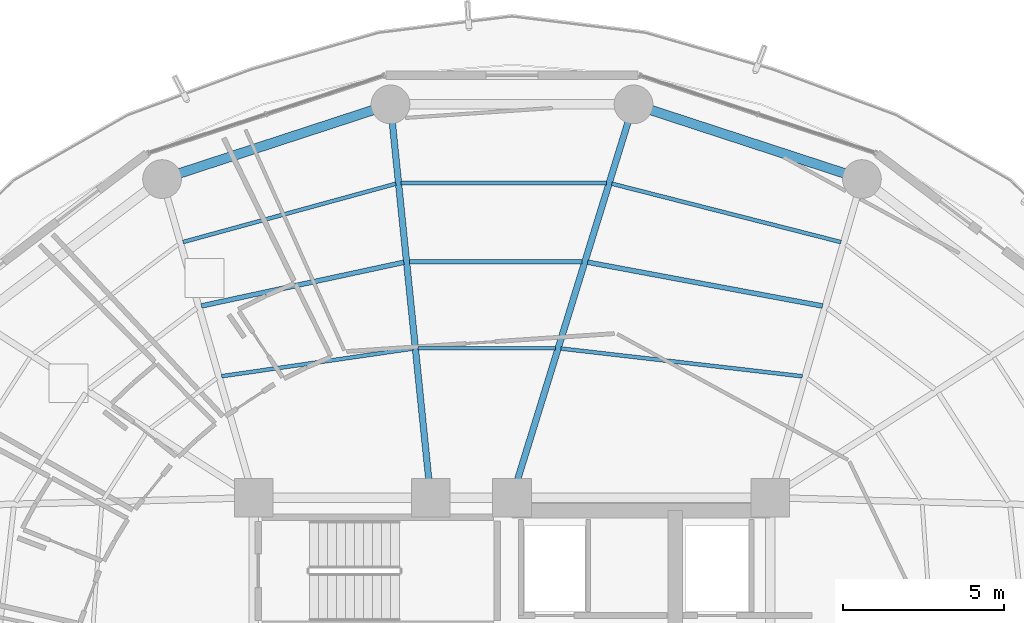
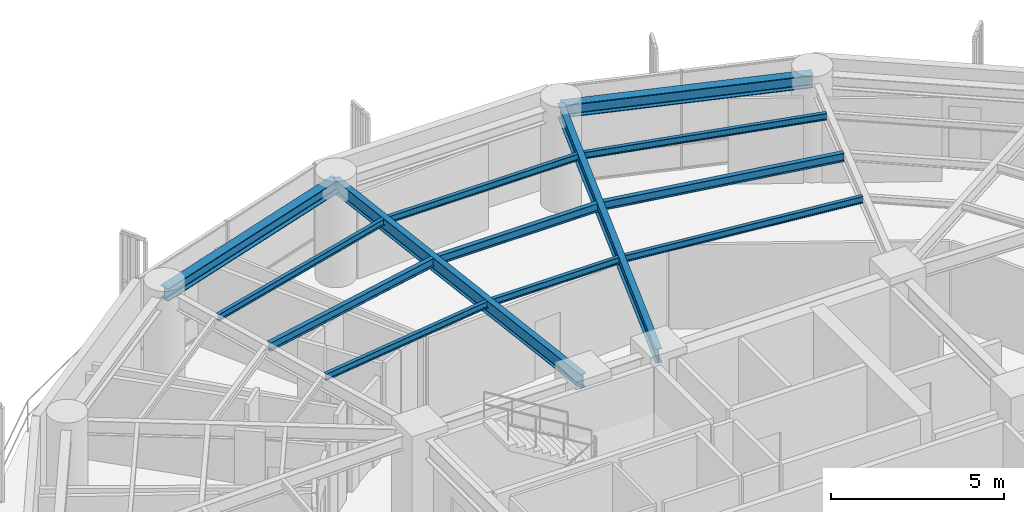
# One storey, part 17 of 29: 13 beams.
"""IFC4 building model written with IfcOpenShell, lengths in metres."""

from ifc_helpers import new_model, si_unit, direction, frame, origin, origin_2d, place, context, subcontext, project, spatial, i_section, extrude, material, material_profile, profile_set, type_object, element, save


model = new_model("IFC4")

# Units and contexts
model_context = context("Model", 3, precision=1e-05, world=origin(), true_north=direction((0.0, 1.0)))
body_context = subcontext(model_context, "Body", "Model", "MODEL_VIEW")
ifc_project = project(units=[si_unit("LENGTHUNIT", "METRE"), si_unit("AREAUNIT", "SQUARE_METRE"), si_unit("VOLUMEUNIT", "CUBIC_METRE"), si_unit("PLANEANGLEUNIT", "RADIAN"), si_unit("MASSUNIT", "GRAM", prefix="KILO")], contexts=[model_context])

# Site, building, storey
site_placement = place(None, origin())
site = spatial("IfcSite", under=ifc_project, at=site_placement, CompositionType="ELEMENT")
building_placement = place(site_placement, origin())
building = spatial("IfcBuilding", under=site, at=building_placement, Name="Kelanora Arch Commons", CompositionType="ELEMENT")
storey_placement = place(building_placement, frame((0.0, 0.0, 135.60009765625)))
storey = spatial("IfcBuildingStorey", under=building, at=storey_placement, Name="L34", CompositionType="ELEMENT", Elevation=135.60009765625)

# Beams
ifc_material = material(Name="Steel S355", Category="steel")
ifc_material_profile_1 = material_profile(ifc_material, i_section(OverallWidth=0.14990234375, OverallDepth=0.300048828125, WebThickness=0.007080078125, FlangeThickness=0.0107421875, FilletRadius=0.014892578125, at=origin_2d()), Name="IPE300")
ifc_profile_set_1 = profile_set([ifc_material_profile_1], Name="Steel S355")
beam_type_1 = type_object("IfcBeamType", Name="BM-JST-01", PredefinedType="JOIST", material=ifc_profile_set_1)
beam_1_placement = place(storey_placement, frame((83.620361328125, 70.937744140625, 3.33984375), z_axis=(-0.983054256126, 0.183314837134, 0.0), x_axis=(-0.183314837134, -0.983054256126, 0.0)))
element("IfcBeam", 1, at=beam_1_placement, inside=storey, type_object=beam_type_1, Name="Secondary Chord Joist BJB-06 L34", PredefinedType="JOIST", context=body_context, shape_type="SweptSolid", body=[
    extrude(i_section(OverallWidth=0.14990234375, OverallDepth=0.300048828125, WebThickness=0.007080078125, FlangeThickness=0.0107421875, FilletRadius=0.014892578125, at=origin_2d()), origin(), (0.0, 0.0, 1.0), 7.403564453125),
])
beam_2_placement = place(storey_placement, frame((76.173828125, 72.310546875, 3.33984375), z_axis=(-1.0, 0.0, 0.0), x_axis=(0.0, -1.0, 0.0)))
element("IfcBeam", 2, at=beam_2_placement, inside=storey, type_object=beam_type_1, Name="Secondary Chord Joist BJB-08 L34", PredefinedType="JOIST", context=body_context, shape_type="SweptSolid", body=[
    extrude(i_section(OverallWidth=0.14990234375, OverallDepth=0.300048828125, WebThickness=0.007080078125, FlangeThickness=0.0107421875, FilletRadius=0.014892578125, at=origin_2d()), origin(), (0.0, 0.0, 1.0), 5.355712890625),
])
beam_3_placement = place(storey_placement, frame((70.650146484375, 72.29248046875, 3.33984375), z_axis=(-0.977521966827, -0.210833594029, 0.0), x_axis=(0.210833594029, -0.977521966827, 0.0)))
element("IfcBeam", 3, at=beam_3_placement, inside=storey, type_object=beam_type_1, Name="Secondary Chord Joist BJB-10 L34", PredefinedType="JOIST", context=body_context, shape_type="SweptSolid", body=[
    extrude(i_section(OverallWidth=0.14990234375, OverallDepth=0.300048828125, WebThickness=0.007080078125, FlangeThickness=0.0107421875, FilletRadius=0.014892578125, at=origin_2d()), origin(), (0.0, 0.0, 1.0), 6.415283203125),
])
ifc_material_profile_2 = material_profile(ifc_material, i_section(OverallWidth=0.1201171875, OverallDepth=0.239990234375, WebThickness=0.006103515625, FlangeThickness=0.009765625, FilletRadius=0.014892578125, at=origin_2d()), Name="IPE240")
ifc_profile_set_2 = profile_set([ifc_material_profile_2], Name="Steel S355")
beam_type_2 = type_object("IfcBeamType", Name="BM-JST-02", PredefinedType="JOIST", material=ifc_profile_set_2)
beam_4_placement = place(storey_placement, frame((82.994873046875, 68.760498046875, 3.369873046875), z_axis=(-0.993457414184, 0.114203179475, 0.0), x_axis=(-0.114203179475, -0.993457414184, 0.0)))
element("IfcBeam", 4, at=beam_4_placement, inside=storey, type_object=beam_type_2, Name="Secondary Chord Joist BJA-06 L34", PredefinedType="JOIST", context=body_context, shape_type="SweptSolid", body=[
    extrude(i_section(OverallWidth=0.1201171875, OverallDepth=0.239990234375, WebThickness=0.006103515625, FlangeThickness=0.009765625, FilletRadius=0.014892578125, at=origin_2d()), origin(), (0.0, 0.0, 1.0), 7.529296875),
])
beam_5_placement = place(storey_placement, frame((84.189697265625, 72.917236328125, 3.369873046875), z_axis=(-0.96900232943, 0.247051584815, 0.0), x_axis=(-0.247051584815, -0.96900232943, 0.0)))
element("IfcBeam", 5, at=beam_5_placement, inside=storey, type_object=beam_type_2, Name="Secondary Chord Joist BJC-06 L34", PredefinedType="JOIST", context=body_context, shape_type="SweptSolid", body=[
    extrude(i_section(OverallWidth=0.1201171875, OverallDepth=0.239990234375, WebThickness=0.006103515625, FlangeThickness=0.009765625, FilletRadius=0.014892578125, at=origin_2d()), origin(), (0.0, 0.0, 1.0), 7.32275390625),
])
beam_6_placement = place(storey_placement, frame((75.345703125, 69.6298828125, 3.369873046875), z_axis=(-1.0, 0.0, 0.0), x_axis=(0.0, -1.0, 0.0)))
element("IfcBeam", 6, at=beam_6_placement, inside=storey, type_object=beam_type_2, Name="Secondary Chord Joist BJA-08 L34", PredefinedType="JOIST", context=body_context, shape_type="SweptSolid", body=[
    extrude(i_section(OverallWidth=0.1201171875, OverallDepth=0.239990234375, WebThickness=0.006103515625, FlangeThickness=0.009765625, FilletRadius=0.014892578125, at=origin_2d()), origin(), (0.0, 0.0, 1.0), 4.253662109375),
])
beam_7_placement = place(storey_placement, frame((76.9267578125, 74.747314453125, 3.369873046875), z_axis=(-1.0, 0.0, 0.0), x_axis=(0.0, -1.0, 0.0)))
element("IfcBeam", 7, at=beam_7_placement, inside=storey, type_object=beam_type_2, Name="Secondary Chord Joist BJC-08 L34", PredefinedType="JOIST", context=body_context, shape_type="SweptSolid", body=[
    extrude(i_section(OverallWidth=0.1201171875, OverallDepth=0.239990234375, WebThickness=0.006103515625, FlangeThickness=0.009765625, FilletRadius=0.014892578125, at=origin_2d()), origin(), (0.0, 0.0, 1.0), 6.357666015625),
])
beam_8_placement = place(storey_placement, frame((70.9228515625, 69.617919921875, 3.369873046875), z_axis=(-0.989718726051, -0.143027421508, 0.0), x_axis=(0.143027421508, -0.989718726051, 0.0)))
element("IfcBeam", 8, at=beam_8_placement, inside=storey, type_object=beam_type_2, Name="Secondary Chord Joist BJA-10 L34", PredefinedType="JOIST", context=body_context, shape_type="SweptSolid", body=[
    extrude(i_section(OverallWidth=0.1201171875, OverallDepth=0.239990234375, WebThickness=0.006103515625, FlangeThickness=0.009765625, FilletRadius=0.014892578125, at=origin_2d()), origin(), (0.0, 0.0, 1.0), 5.9794921875),
])
beam_9_placement = place(storey_placement, frame((70.40234375, 74.724853515625, 3.369873046875), z_axis=(-0.964456541131, -0.264241518824, 0.0), x_axis=(0.264241518824, -0.964456541131, 0.0)))
element("IfcBeam", 9, at=beam_9_placement, inside=storey, type_object=beam_type_2, Name="Secondary Chord Joist BJC-10 L34", PredefinedType="JOIST", context=body_context, shape_type="SweptSolid", body=[
    extrude(i_section(OverallWidth=0.1201171875, OverallDepth=0.239990234375, WebThickness=0.006103515625, FlangeThickness=0.009765625, FilletRadius=0.014892578125, at=origin_2d()), origin(), (0.0, 0.0, 1.0), 6.835205078125),
])
ifc_material_profile_3 = material_profile(ifc_material, i_section(OverallWidth=0.199951171875, OverallDepth=0.5, WebThickness=0.01025390625, FlangeThickness=0.01611328125, FilletRadius=0.02099609375, at=origin_2d()), Name="IPE500")
ifc_profile_set_3 = profile_set([ifc_material_profile_3], Name="Steel S355")
beam_type_3 = type_object("IfcBeamType", Name="BM-RAD-Z3", PredefinedType="BEAM", material=ifc_profile_set_3)
beam_10_placement = place(storey_placement, frame((74.0, 65.0, 3.239990234375), z_axis=(0.295210315095, 0.955432294755, 0.0), x_axis=(-0.955432294755, 0.295210315095, 0.0)))
element("IfcBeam", 10, at=beam_10_placement, inside=storey, type_object=beam_type_3, Name="Radial Floor Girder BR-08 L34", PredefinedType="BEAM", context=body_context, shape_type="SweptSolid", body=[
    extrude(i_section(OverallWidth=0.199951171875, OverallDepth=0.5, WebThickness=0.01025390625, FlangeThickness=0.01611328125, FilletRadius=0.02099609375, at=origin_2d()), origin(), (0.0, 0.0, 1.0), 12.75244140625),
])
beam_11_placement = place(storey_placement, frame((71.47998046875, 65.0, 3.239990234375), z_axis=(-0.101623200789, 0.994822961668, 0.0), x_axis=(-0.994822961668, -0.101623200789, 0.0)))
element("IfcBeam", 11, at=beam_11_placement, inside=storey, type_object=beam_type_3, Name="Radial Floor Girder BR-10 L34", PredefinedType="BEAM", context=body_context, shape_type="SweptSolid", body=[
    extrude(i_section(OverallWidth=0.199951171875, OverallDepth=0.5, WebThickness=0.01025390625, FlangeThickness=0.01611328125, FilletRadius=0.02099609375, at=origin_2d()), origin(), (0.0, 0.0, 1.0), 12.24755859375),
])
ifc_material_profile_4 = material_profile(ifc_material, i_section(OverallWidth=0.300048828125, OverallDepth=0.449951171875, WebThickness=0.013916015625, FlangeThickness=0.02587890625, FilletRadius=0.027099609375, at=origin_2d()), Name="HEB450")
ifc_profile_set_4 = profile_set([ifc_material_profile_4], Name="Steel S355")
beam_type_4 = type_object("IfcBeamType", Name="BM-SPN-Z3", PredefinedType="SPANDREL", material=ifc_profile_set_4)
for number, where, z_axis, x_axis, name in (
    (12, (84.840087890625, 74.8701171875, 3.264892578125), (-0.950461975786, 0.310840847676, 0.0), (-0.310840847676, -0.950461975786, 0.0), "Perimeter Spandrel Beam BS-06 L34"),
    (13, (70.2353515625, 77.18408203125, 3.264892578125), (-0.950461975786, -0.310840847676, 0.0), (0.310840847676, -0.950461975786, 0.0), "Perimeter Spandrel Beam BS-10 L34"),
):
    element("IfcBeam", number, at=place(storey_placement, frame(where, z_axis=z_axis, x_axis=x_axis)), inside=storey, type_object=beam_type_4, Name=name, PredefinedType="SPANDREL", context=body_context, shape_type="SweptSolid", body=[
        extrude(i_section(OverallWidth=0.300048828125, OverallDepth=0.449951171875, WebThickness=0.013916015625, FlangeThickness=0.02587890625, FilletRadius=0.027099609375, at=origin_2d()), origin(), (0.0, 0.0, 1.0), 7.444091796875),
    ])

save(model, "model.ifc")
